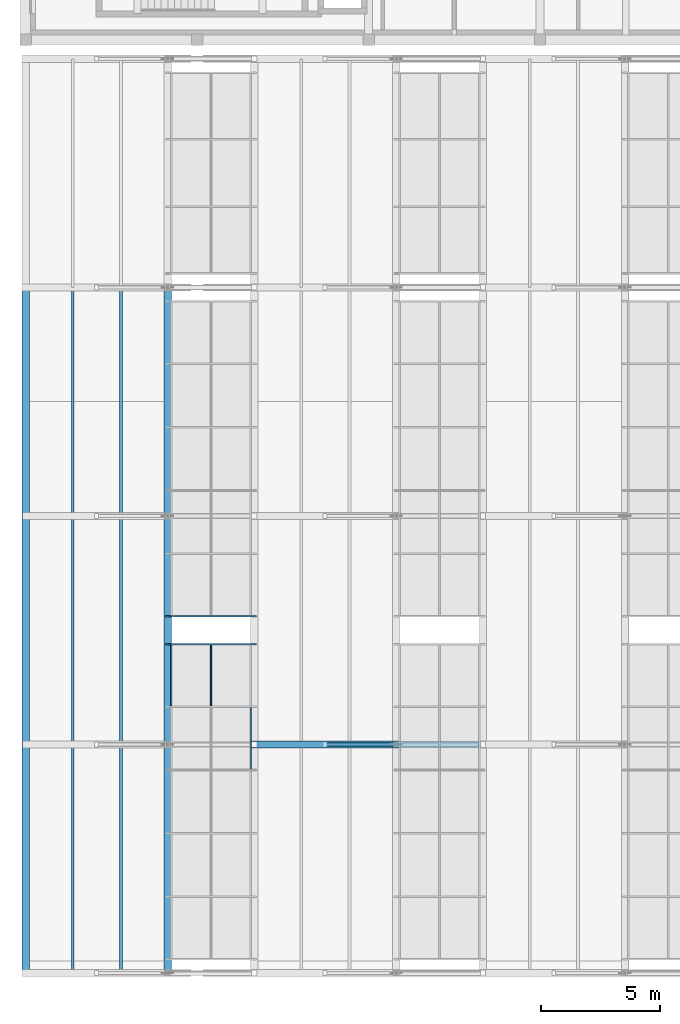
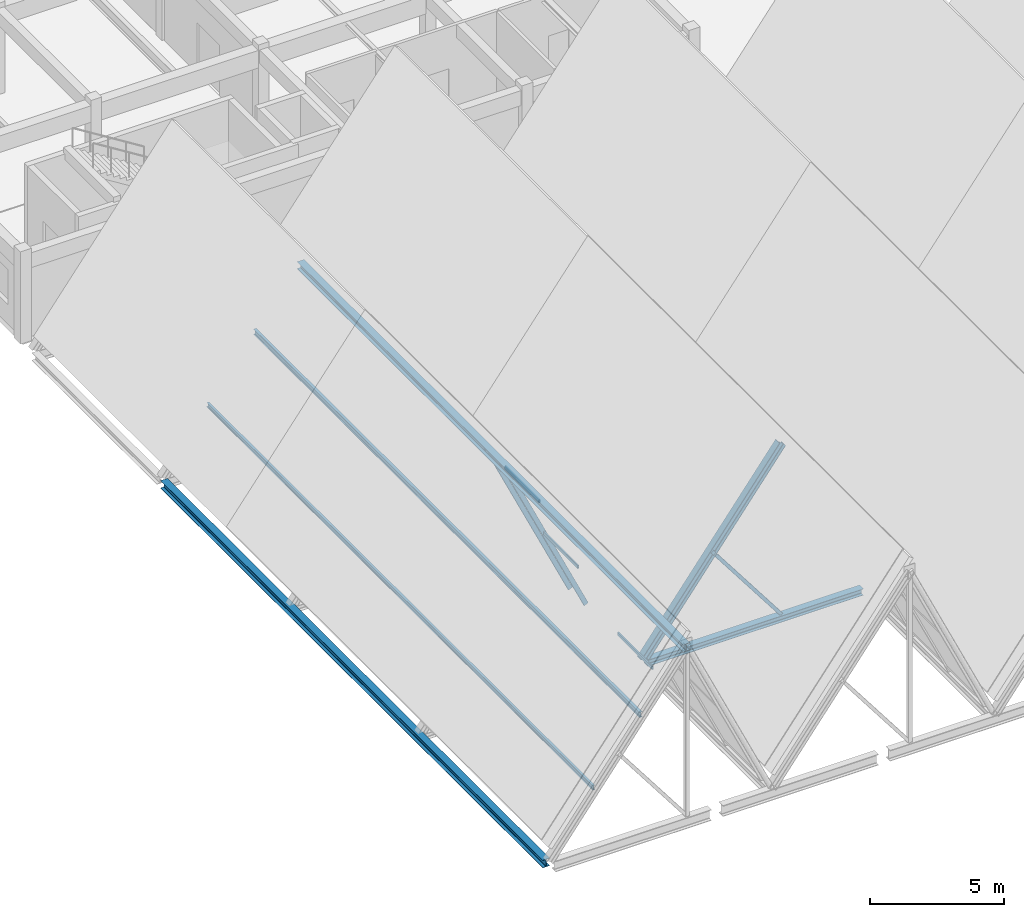
# One storey, part 7 of 99: 10 members, 2 beams, 2 elements without a shape of their own.
"""IFC4 building model written with IfcOpenShell, lengths in metres."""

from ifc_helpers import new_model, si_unit, direction, frame, origin, origin_2d, place, context, subcontext, project, spatial, hollow_rectangle, i_section, extrude, material, material_profile, profile_set, type_object, element, aggregate, save


model = new_model("IFC4")

# Units and contexts
model_context = context("Model", 3, precision=1e-05, world=origin(), true_north=direction((0.0, 1.0)))
body_context = subcontext(model_context, "Body", "Model", "MODEL_VIEW")
ifc_project = project(units=[si_unit("LENGTHUNIT", "METRE"), si_unit("AREAUNIT", "SQUARE_METRE"), si_unit("VOLUMEUNIT", "CUBIC_METRE"), si_unit("PLANEANGLEUNIT", "RADIAN"), si_unit("MASSUNIT", "GRAM", prefix="KILO")], contexts=[model_context])

# Site, building, storey
site_placement = place(None, origin())
site = spatial("IfcSite", under=ifc_project, at=site_placement, CompositionType="ELEMENT")
building_placement = place(site_placement, origin())
building = spatial("IfcBuilding", under=site, at=building_placement, Name="Bramveld Media Centre", CompositionType="ELEMENT")
storey_placement = place(building_placement, frame((0.0, 0.0, 13.800048828125)))
storey = spatial("IfcBuildingStorey", under=building, at=storey_placement, Name="L03", CompositionType="ELEMENT", Elevation=13.800048828125)

# Curtain wall, member
ifc_material_1 = material(Name="Thermally broken anodized bronze aluminium unitized curtain wall with solar-control triple glazing", Category="aluminium")
curtain_wall_type = type_object("IfcCurtainWallType", Name="CW-SAW-13300x8606", PredefinedType="NOTDEFINED", material=ifc_material_1)
curtain_wall_1_placement = place(storey_placement, origin())
curtain_wall_1 = element("IfcCurtainWall", 1, at=curtain_wall_1_placement, inside=storey, type_object=curtain_wall_type, Name="V2 sawtooth north-light clerestory B1-S1", PredefinedType="NOTDEFINED")
ifc_material_2 = material(Name="Thermally broken anodized bronze aluminium EN AW-6063 T6 curtain-wall framing", Category="aluminium")
ifc_material_profile_1 = material_profile(ifc_material_2, hollow_rectangle(XDim=0.070068359375, YDim=0.199951171875, WallThickness=0.00439453125, InnerFilletRadius=0.00439453125, OuterFilletRadius=0.009033203125, at=origin_2d()), Name="AL-MULL 70x200")
ifc_profile_set_1 = profile_set([ifc_material_profile_1], Name="Thermally broken anodized bronze aluminium EN AW-6063 T6 curtain-wall framing")
member_type_1 = type_object("IfcMemberType", Name="CW-MULL-SLP", PredefinedType="MULLION", material=ifc_profile_set_1)
member_1_placement = place(storey_placement, frame((9.60009765625, 13.81494140625, -0.02001953125), z_axis=(-0.423956992265, 0.0, 0.90568232218), x_axis=(0.0, -1.0, 0.0)))
member_1 = element("IfcMember", 2, at=member_1_placement, type_object=member_type_1, Name="CW-SA-13386 sloped mullion 6", PredefinedType="MULLION", context=body_context, shape_type="SweptSolid", body=[
    extrude(hollow_rectangle(XDim=0.070068359375, YDim=0.199951171875, WallThickness=0.00439453125, InnerFilletRadius=0.00439453125, OuterFilletRadius=0.009033203125, at=origin_2d()), origin(), (0.0, 0.0, 1.0), 8.5791015625),
])

curtain_wall_2_placement = place(storey_placement, origin())
curtain_wall_2 = element("IfcCurtainWall", 3, at=curtain_wall_2_placement, inside=storey, type_object=curtain_wall_type, Name="V2 sawtooth north-light clerestory B1-S2", PredefinedType="NOTDEFINED")
member_2_placement = place(storey_placement, frame((9.60009765625, 14.985107421875, -0.02001953125), z_axis=(-0.423956992265, 0.0, 0.90568232218), x_axis=(0.0, -1.0, 0.0)))
member_2 = element("IfcMember", 4, at=member_2_placement, type_object=member_type_1, Name="CW-SA-13386 sloped mullion 1", PredefinedType="MULLION", context=body_context, shape_type="SweptSolid", body=[
    extrude(hollow_rectangle(XDim=0.070068359375, YDim=0.199951171875, WallThickness=0.00439453125, InnerFilletRadius=0.00439453125, OuterFilletRadius=0.009033203125, at=origin_2d()), origin(), (0.0, 0.0, 1.0), 8.5791015625),
])
aggregate(curtain_wall_2, [member_2])

# Member
ifc_material_3 = material(Name="Thermally broken anodized bronze aluminium EN AW-6063 T6 curtain-wall framing", Category="aluminium")
ifc_material_profile_2 = material_profile(ifc_material_3, hollow_rectangle(XDim=0.070068359375, YDim=0.14990234375, WallThickness=0.00390625, InnerFilletRadius=0.00390625, OuterFilletRadius=0.008056640625, at=origin_2d()), Name="AL-TRAN 70x150")
ifc_profile_set_2 = profile_set([ifc_material_profile_2], Name="Thermally broken anodized bronze aluminium EN AW-6063 T6 curtain-wall framing")
member_type_2 = type_object("IfcMemberType", Name="CW-TRAN-SLP", PredefinedType="USERDEFINED", material=ifc_profile_set_2)
member_3_placement = place(storey_placement, frame((9.45458984375, 8.56494140625, 0.290771484375), z_axis=(0.0, 1.0, 0.0), x_axis=(-1.0, 0.0, 0.0)))
member_3 = element("IfcMember", 5, at=member_3_placement, type_object=member_type_2, Name="CW-SA-13386 transom 4.1", ObjectType="TRANSOM", PredefinedType="USERDEFINED", context=body_context, shape_type="SweptSolid", body=[
    extrude(hollow_rectangle(XDim=0.070068359375, YDim=0.14990234375, WallThickness=0.00390625, InnerFilletRadius=0.00390625, OuterFilletRadius=0.008056640625, at=origin_2d()), origin(), (0.0, 0.0, 1.0), 2.590087890625),
])

member_4_placement = place(storey_placement, frame((7.781494140625, 11.22509765625, 3.864990234375), z_axis=(0.0, 1.0, 0.0), x_axis=(-1.0, 0.0, 0.0)))
member_4 = element("IfcMember", 6, at=member_4_placement, type_object=member_type_2, Name="CW-SA-13386 transom 5.2", ObjectType="TRANSOM", PredefinedType="USERDEFINED", context=body_context, shape_type="SweptSolid", body=[
    extrude(hollow_rectangle(XDim=0.070068359375, YDim=0.14990234375, WallThickness=0.00390625, InnerFilletRadius=0.00390625, OuterFilletRadius=0.008056640625, at=origin_2d()), origin(), (0.0, 0.0, 1.0), 2.554931640625),
])

member_5_placement = place(storey_placement, frame((6.1083984375, 11.22509765625, 7.439208984375), z_axis=(0.0, 1.0, 0.0), x_axis=(-1.0, 0.0, 0.0)))
member_5 = element("IfcMember", 7, at=member_5_placement, type_object=member_type_2, Name="CW-SA-13386 transom 5.3", ObjectType="TRANSOM", PredefinedType="USERDEFINED", context=body_context, shape_type="SweptSolid", body=[
    extrude(hollow_rectangle(XDim=0.070068359375, YDim=0.14990234375, WallThickness=0.00390625, InnerFilletRadius=0.00390625, OuterFilletRadius=0.008056640625, at=origin_2d()), origin(), (0.0, 0.0, 1.0), 2.554931640625),
])

aggregate(curtain_wall_1, [member_1, member_3, member_4, member_5])

# Members
ifc_material_4 = material(Name="Steel S355J2H", Category="steel")
ifc_material_profile_3 = material_profile(ifc_material_4, hollow_rectangle(XDim=0.14990234375, YDim=0.14990234375, WallThickness=0.010009765625, InnerFilletRadius=0.010009765625, OuterFilletRadius=0.02001953125, at=origin_2d()), Name="SHS 150x150x10")
ifc_profile_set_3 = profile_set([ifc_material_profile_3], Name="Steel S355J2H")
member_type_3 = type_object("IfcMemberType", Name="MEM-BRACE-SHS150", PredefinedType="BRACE", material=ifc_profile_set_3)
member_6_placement = place(storey_placement, frame((15.562744140625, 9.60009765625, 0.0), z_axis=(-0.607343034298, 0.0, 0.794439701104), x_axis=(0.0, -1.0, 0.0)))
element("IfcMember", 8, at=member_6_placement, inside=storey, type_object=member_type_3, Name="TRUSS-V2-B02-F2 web diagonal", PredefinedType="BRACE", context=body_context, shape_type="SweptSolid", body=[
    extrude(hollow_rectangle(XDim=0.14990234375, YDim=0.14990234375, WallThickness=0.010009765625, InnerFilletRadius=0.010009765625, OuterFilletRadius=0.02001953125, at=origin_2d()), origin(), (0.0, 0.0, 1.0), 4.908935546875),
])
ifc_material_5 = material(Name="Steel S355J2", Category="steel")
ifc_material_profile_4 = material_profile(ifc_material_5, i_section(OverallWidth=0.300048828125, OverallDepth=0.2900390625, WebThickness=0.008544921875, FlangeThickness=0.013916015625, FilletRadius=0.027099609375, at=origin_2d()), Name="HEA 300")
ifc_profile_set_4 = profile_set([ifc_material_profile_4], Name="Steel S355J2")
member_type_4 = type_object("IfcMemberType", Name="MEM-CHORD-HEA300", PredefinedType="CHORD", material=ifc_profile_set_4)
member_7_placement = place(storey_placement, frame((9.760009765625, 9.60009765625, -0.14501953125), z_axis=(1.0, 0.0, 0.0), x_axis=(0.0, 1.0, 0.0)))
element("IfcMember", 9, at=member_7_placement, inside=storey, type_object=member_type_4, Name="TRUSS-V2-B02-F2 bottom tie chord", PredefinedType="CHORD", context=body_context, shape_type="SweptSolid", body=[
    extrude(i_section(OverallWidth=0.300048828125, OverallDepth=0.2900390625, WebThickness=0.008544921875, FlangeThickness=0.013916015625, FilletRadius=0.027099609375, at=origin_2d()), origin(), (0.0, 0.0, 1.0), 9.280029296875),
])
ifc_material_6 = material(Name="Steel S355J2", Category="steel")
ifc_material_profile_5 = material_profile(ifc_material_6, i_section(OverallWidth=0.300048828125, OverallDepth=0.340087890625, WebThickness=0.011962890625, FlangeThickness=0.021484375, FilletRadius=0.027099609375, at=origin_2d()), Name="HEB 340")
ifc_profile_set_5 = profile_set([ifc_material_profile_5], Name="Steel S355J2")
member_type_5 = type_object("IfcMemberType", Name="MEM-CHORD-HEB340", PredefinedType="CHORD", material=ifc_profile_set_5)
member_8_placement = place(storey_placement, frame((9.60009765625, 9.60009765625, 0.0), z_axis=(0.607315341765, 0.0, 0.794460871067), x_axis=(0.0, 1.0, 0.0)))
element("IfcMember", 10, at=member_8_placement, inside=storey, type_object=member_type_5, Name="TRUSS-V2-B02-F2 top rafter chord", PredefinedType="CHORD", context=body_context, shape_type="SweptSolid", body=[
    extrude(i_section(OverallWidth=0.300048828125, OverallDepth=0.340087890625, WebThickness=0.011962890625, FlangeThickness=0.021484375, FilletRadius=0.027099609375, at=origin_2d()), origin(), (0.0, 0.0, 1.0), 9.818115234375),
])
ifc_material_7 = material(Name="Steel S355J2", Category="steel")
ifc_material_profile_6 = material_profile(ifc_material_7, i_section(OverallWidth=0.10009765625, OverallDepth=0.199951171875, WebThickness=0.005615234375, FlangeThickness=0.008544921875, FilletRadius=0.011962890625, at=origin_2d()), Name="IPE 200")
ifc_profile_set_6 = profile_set([ifc_material_profile_6], Name="Steel S355J2")
member_type_6 = type_object("IfcMemberType", Name="MEM-PURLIN-IPE200", PredefinedType="PURLIN", material=ifc_profile_set_6)
member_9_placement = place(storey_placement, frame((1.9677734375, 0.0, 2.650146484375), z_axis=(0.0, 1.0, 0.0), x_axis=(-1.0, 0.0, 0.0)))
element("IfcMember", 11, at=member_9_placement, inside=storey, type_object=member_type_6, Name="V2 roof purlin", PredefinedType="PURLIN", context=body_context, shape_type="SweptSolid", body=[
    extrude(i_section(OverallWidth=0.10009765625, OverallDepth=0.199951171875, WebThickness=0.005615234375, FlangeThickness=0.008544921875, FilletRadius=0.011962890625, at=origin_2d()), origin(), (0.0, 0.0, 1.0), 28.800048828125),
])
ifc_material_8 = material(Name="Steel S355J2", Category="steel")
ifc_material_profile_7 = material_profile(ifc_material_8, i_section(OverallWidth=0.1201171875, OverallDepth=0.239990234375, WebThickness=0.006103515625, FlangeThickness=0.009765625, FilletRadius=0.014892578125, at=origin_2d()), Name="IPE 240")
ifc_profile_set_7 = profile_set([ifc_material_profile_7], Name="Steel S355J2")
member_type_7 = type_object("IfcMemberType", Name="MEM-PURLIN-IPE240", PredefinedType="PURLIN", material=ifc_profile_set_7)
member_10_placement = place(storey_placement, frame((3.9951171875, 0.0, 5.26904296875), z_axis=(0.0, 1.0, 0.0), x_axis=(-1.0, 0.0, 0.0)))
element("IfcMember", 12, at=member_10_placement, inside=storey, type_object=member_type_7, Name="V2 roof purlin", PredefinedType="PURLIN", context=body_context, shape_type="SweptSolid", body=[
    extrude(i_section(OverallWidth=0.1201171875, OverallDepth=0.239990234375, WebThickness=0.006103515625, FlangeThickness=0.009765625, FilletRadius=0.014892578125, at=origin_2d()), origin(), (0.0, 0.0, 1.0), 28.800048828125),
])

# Beams
ifc_material_9 = material(Name="Steel S355J2", Category="steel")
ifc_material_profile_8 = material_profile(ifc_material_9, i_section(OverallWidth=0.300048828125, OverallDepth=0.35009765625, WebThickness=0.010009765625, FlangeThickness=0.017578125, FilletRadius=0.027099609375, at=origin_2d()), Name="HEA 360")
ifc_profile_set_8 = profile_set([ifc_material_profile_8], Name="Steel S355J2")
beam_type_1 = type_object("IfcBeamType", Name="SBM-EXT-HEA-360", PredefinedType="BEAM", material=ifc_profile_set_8)
beam_1_placement = place(storey_placement, frame((0.0, 0.139892578125, -0.175048828125), z_axis=(0.0, 1.0, 0.0), x_axis=(-1.0, 0.0, 0.0)))
element("IfcBeam", 13, at=beam_1_placement, inside=storey, type_object=beam_type_1, Name="V2 valley spine girder 0", PredefinedType="BEAM", context=body_context, shape_type="SweptSolid", body=[
    extrude(i_section(OverallWidth=0.300048828125, OverallDepth=0.35009765625, WebThickness=0.010009765625, FlangeThickness=0.017578125, FilletRadius=0.027099609375, at=origin_2d()), origin(), (0.0, 0.0, 1.0), 28.52001953125),
])
ifc_material_10 = material(Name="Steel S355J2", Category="steel")
ifc_material_profile_9 = material_profile(ifc_material_10, i_section(OverallWidth=0.300048828125, OverallDepth=0.330078125, WebThickness=0.009521484375, FlangeThickness=0.0166015625, FilletRadius=0.027099609375, at=origin_2d()), Name="HEA 340")
ifc_profile_set_9 = profile_set([ifc_material_profile_9], Name="Steel S355J2")
beam_type_2 = type_object("IfcBeamType", Name="SBM-INT-HEA-340", PredefinedType="BEAM", material=ifc_profile_set_9)
beam_2_placement = place(storey_placement, frame((5.962890625, 0.0, 7.635009765625), z_axis=(0.0, 1.0, 0.0), x_axis=(-1.0, 0.0, 0.0)))
element("IfcBeam", 14, at=beam_2_placement, inside=storey, type_object=beam_type_2, Name="V2 ridge spine beam", PredefinedType="BEAM", context=body_context, shape_type="SweptSolid", body=[
    extrude(i_section(OverallWidth=0.300048828125, OverallDepth=0.330078125, WebThickness=0.009521484375, FlangeThickness=0.0166015625, FilletRadius=0.027099609375, at=origin_2d()), origin(), (0.0, 0.0, 1.0), 28.800048828125),
])

save(model, "model.ifc")
